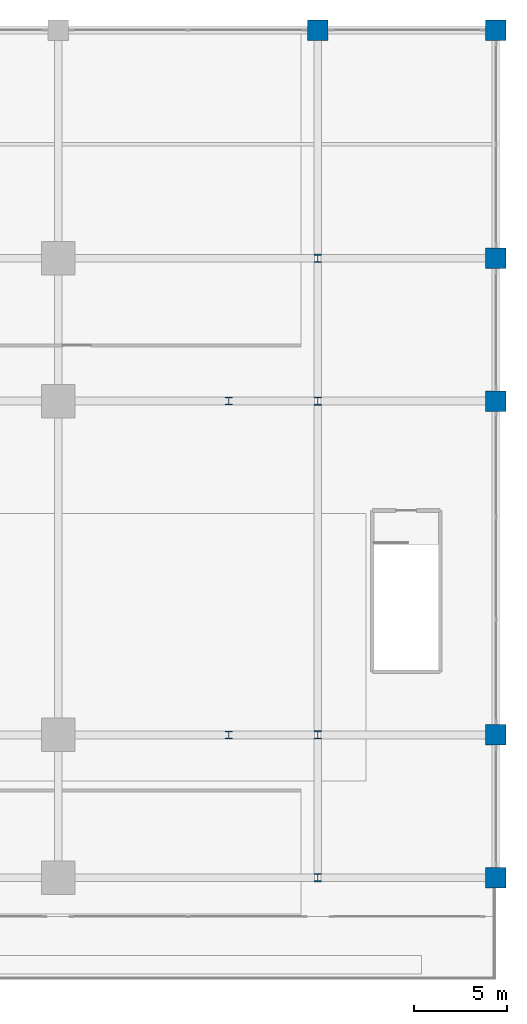
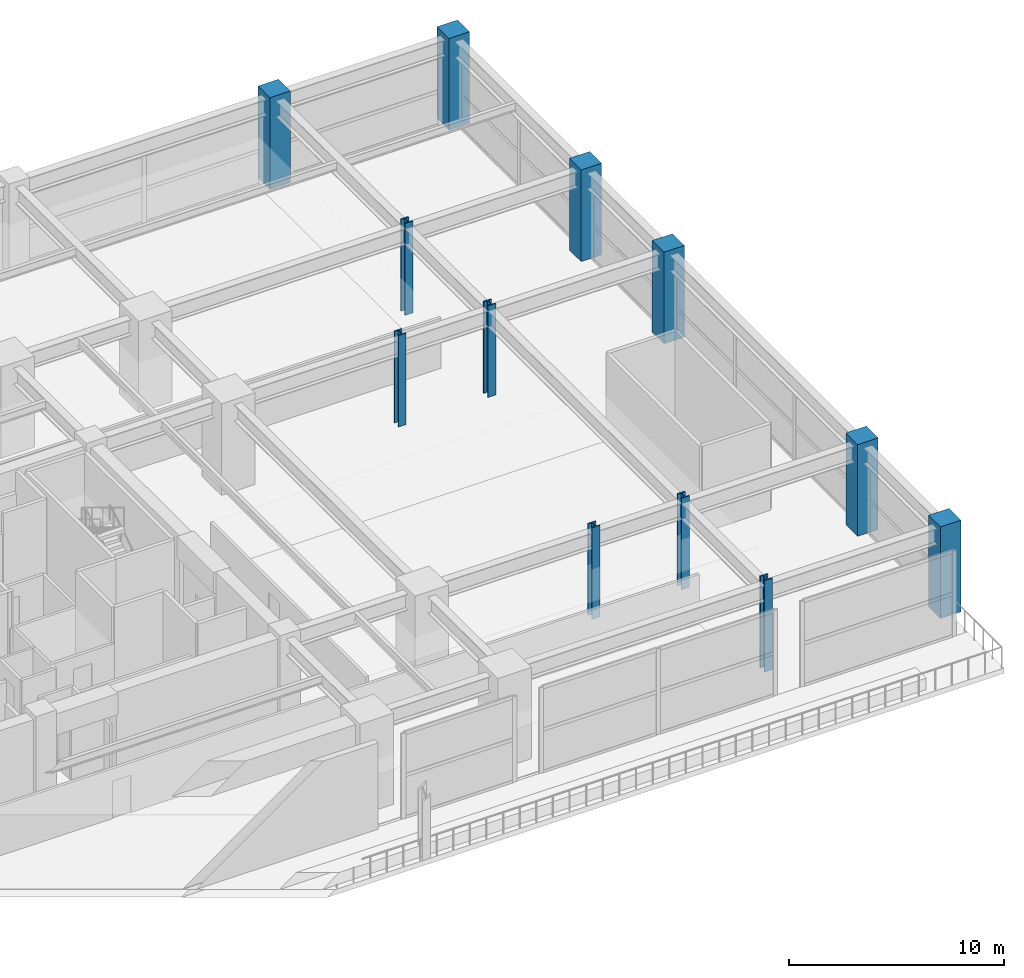
# One storey, part 2 of 35: 12 columns.
"""IFC4 building model written with IfcOpenShell, lengths in metres."""

from ifc_helpers import new_model, si_unit, direction, frame, origin, origin_2d, place, context, subcontext, project, spatial, rectangle, i_section, extrude, material, material_profile, profile_set, type_object, element, save


model = new_model("IFC4")

# Units and contexts
model_context = context("Model", 3, precision=1e-05, world=origin(), true_north=direction((0.0, 1.0)))
body_context = subcontext(model_context, "Body", "Model", "MODEL_VIEW")
ifc_project = project(units=[si_unit("LENGTHUNIT", "METRE"), si_unit("AREAUNIT", "SQUARE_METRE"), si_unit("VOLUMEUNIT", "CUBIC_METRE"), si_unit("PLANEANGLEUNIT", "RADIAN"), si_unit("MASSUNIT", "GRAM", prefix="KILO")], contexts=[model_context])

# Site, building, storey
site_placement = place(None, origin())
site = spatial("IfcSite", under=ifc_project, at=site_placement, CompositionType="ELEMENT")
building_placement = place(site_placement, origin())
building = spatial("IfcBuilding", under=site, at=building_placement, Name="Kovane Verandah Tower", CompositionType="ELEMENT")
storey_placement = place(building_placement, frame((0.0, 0.0, 16.39990234375)))
storey = spatial("IfcBuildingStorey", under=building, at=storey_placement, Name="L03", CompositionType="ELEMENT", Elevation=16.39990234375)

# Columns
ifc_material_1 = material(Name="Concrete C60/75", Category="concrete")
ifc_material_profile_1 = material_profile(ifc_material_1, rectangle(XDim=1.10009765625, YDim=1.10009765625, at=origin_2d()), Name="RC1100x1100")
ifc_profile_set_1 = profile_set([ifc_material_profile_1], Name="Concrete C60/75")
column_type_1 = type_object("IfcColumnType", Name="COL-POD1100", PredefinedType="COLUMN", material=ifc_profile_set_1)
for number, where, z_axis, x_axis, name in (
    (1, (82.0, 10.800048828125, 0.0), (0.0, 0.0, 1.0), (1.0, 0.0, 0.0), "L03 Podium Column PC-E1"),
    (2, (82.0, 18.5, 0.0), (0.0, 0.0, 1.0), (1.0, 0.0, 0.0), "L03 Podium Column PC-E2"),
    (3, (82.0, 36.5, 0.0), (0.0, 0.0, 1.0), (1.0, 0.0, 0.0), "L03 Podium Column PC-E3"),
    (4, (82.0, 44.199951171875, 0.0), (0.0, 0.0, 1.0), (1.0, 0.0, 0.0), "L03 Podium Column PC-E4"),
    (5, (82.0, 56.5, 0.0), (0.0, 0.0, 1.0), (1.0, 0.0, 0.0), "L03 Podium Column PC-E5"),
    (6, (72.39990234375, 56.5, 0.0), (0.0, 0.0, 1.0), (1.0, 0.0, 0.0), "L03 Podium Column PC-N6"),
):
    element("IfcColumn", number, at=place(storey_placement, frame(where, z_axis=z_axis, x_axis=x_axis)), inside=storey, type_object=column_type_1, Name=name, PredefinedType="COLUMN", context=body_context, shape_type="SweptSolid", body=[
        extrude(rectangle(XDim=1.10009765625, YDim=1.10009765625, at=origin_2d()), origin(), (0.0, 0.0, 1.0), 5.2001953125),
    ])
ifc_material_2 = material(Name="Steel S460", Category="steel")
ifc_material_profile_2 = material_profile(ifc_material_2, i_section(OverallWidth=0.412109375, OverallDepth=0.4365234375, WebThickness=0.035888671875, FlangeThickness=0.05810546875, FilletRadius=0.01513671875, at=origin_2d()), Name="UC356x406x467")
ifc_profile_set_2 = profile_set([ifc_material_profile_2], Name="Steel S460")
column_type_2 = type_object("IfcColumnType", Name="COL-UC467", PredefinedType="COLUMN", material=ifc_profile_set_2)
for number, where, z_axis, x_axis, name in (
    (7, (67.60009765625, 18.5, 0.0), (0.0, 0.0, 1.0), (1.0, 0.0, 0.0), "L03 Verandah Perimeter Column VC-E1"),
    (8, (67.60009765625, 36.5, 0.0), (0.0, 0.0, 1.0), (1.0, 0.0, 0.0), "L03 Verandah Perimeter Column VC-E2"),
):
    element("IfcColumn", number, at=place(storey_placement, frame(where, z_axis=z_axis, x_axis=x_axis)), inside=storey, type_object=column_type_2, Name=name, PredefinedType="COLUMN", context=body_context, shape_type="SweptSolid", body=[
        extrude(i_section(OverallWidth=0.412109375, OverallDepth=0.4365234375, WebThickness=0.035888671875, FlangeThickness=0.05810546875, FilletRadius=0.01513671875, at=origin_2d()), origin(), (0.0, 0.0, 1.0), 5.2001953125),
    ])
ifc_material_3 = material(Name="Steel S355", Category="steel")
ifc_material_profile_3 = material_profile(ifc_material_3, i_section(OverallWidth=0.41845703125, OverallDepth=0.45556640625, WebThickness=0.0419921875, FlangeThickness=0.0673828125, FilletRadius=0.01513671875, at=origin_2d()), Name="UC356x406x551")
ifc_profile_set_3 = profile_set([ifc_material_profile_3], Name="Steel S355")
column_type_3 = type_object("IfcColumnType", Name="COL-UC551", PredefinedType="COLUMN", material=ifc_profile_set_3)
for number, where, z_axis, x_axis, name in (
    (9, (72.39990234375, 10.800048828125, 0.0), (0.0, 0.0, 1.0), (1.0, 0.0, 0.0), "L03 Podium Column PC-ME1"),
    (10, (72.39990234375, 18.5, 0.0), (0.0, 0.0, 1.0), (1.0, 0.0, 0.0), "L03 Podium Column PC-ME2"),
    (11, (72.39990234375, 36.5, 0.0), (0.0, 0.0, 1.0), (1.0, 0.0, 0.0), "L03 Podium Column PC-ME3"),
    (12, (72.39990234375, 44.199951171875, 0.0), (0.0, 0.0, 1.0), (1.0, 0.0, 0.0), "L03 Podium Column PC-ME4"),
):
    element("IfcColumn", number, at=place(storey_placement, frame(where, z_axis=z_axis, x_axis=x_axis)), inside=storey, type_object=column_type_3, Name=name, PredefinedType="COLUMN", context=body_context, shape_type="SweptSolid", body=[
        extrude(i_section(OverallWidth=0.41845703125, OverallDepth=0.45556640625, WebThickness=0.0419921875, FlangeThickness=0.0673828125, FilletRadius=0.01513671875, at=origin_2d()), origin(), (0.0, 0.0, 1.0), 5.2001953125),
    ])

save(model, "model.ifc")
